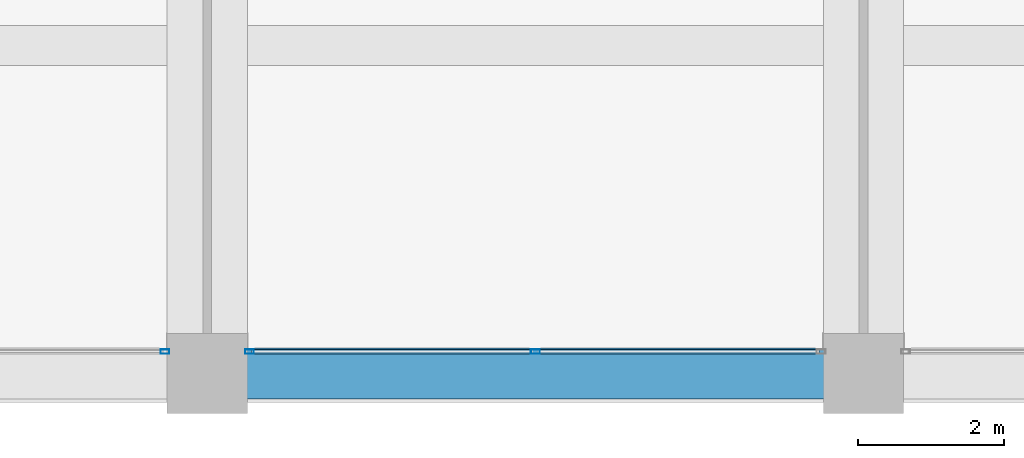
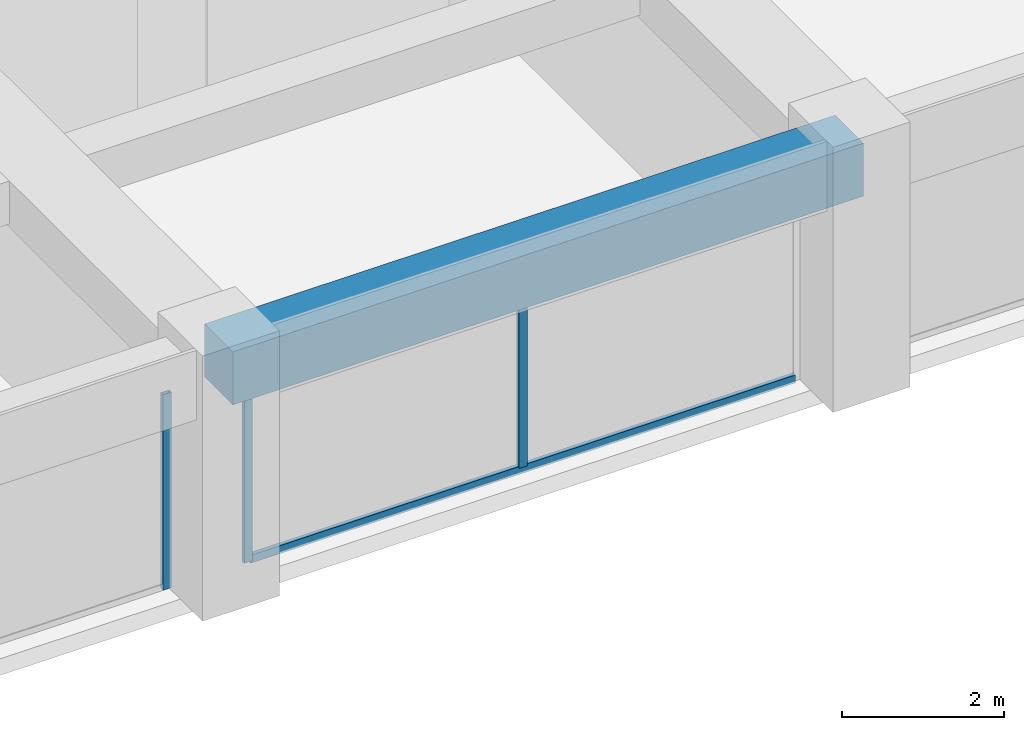
# One storey, part 9 of 44: 4 members, 1 beam, 2 elements without a shape of their own.
"""IFC4 building model written with IfcOpenShell, lengths in metres."""

from ifc_helpers import new_model, si_unit, direction, frame, origin, origin_2d, place, context, subcontext, project, spatial, rectangle, hollow_rectangle, extrude, material, material_profile, profile_set, type_object, element, aggregate, save


model = new_model("IFC4")

# Units and contexts
model_context = context("Model", 3, precision=1e-05, world=origin(), true_north=direction((0.0, 1.0)))
body_context = subcontext(model_context, "Body", "Model", "MODEL_VIEW")
ifc_project = project(units=[si_unit("LENGTHUNIT", "METRE"), si_unit("AREAUNIT", "SQUARE_METRE"), si_unit("VOLUMEUNIT", "CUBIC_METRE"), si_unit("PLANEANGLEUNIT", "RADIAN"), si_unit("MASSUNIT", "GRAM", prefix="KILO")], contexts=[model_context])

# Site, building, storey
site_placement = place(None, origin())
site = spatial("IfcSite", under=ifc_project, at=site_placement, CompositionType="ELEMENT")
building_placement = place(site_placement, origin())
building = spatial("IfcBuilding", under=site, at=building_placement, Name="Zorevar Civic Tower", CompositionType="ELEMENT")
storey_placement = place(building_placement, frame((0.0, 0.0, 263.39990234375)))
storey = spatial("IfcBuildingStorey", under=building, at=storey_placement, Name="L64", CompositionType="ELEMENT", Elevation=263.39990234375)

# Curtain wall, member
ifc_material_1 = material(Name="Dark grey solar-control glass in black aluminium frame", Category="aluminium")
curtain_wall_type = type_object("IfcCurtainWallType", Name="Curtain wall CW5 top zone", PredefinedType="NOTDEFINED", material=ifc_material_1)
curtain_wall_1_placement = place(storey_placement, origin())
curtain_wall_1 = element("IfcCurtainWall", 1, at=curtain_wall_1_placement, inside=storey, type_object=curtain_wall_type, Name="CW5 L64", PredefinedType="NOTDEFINED")
ifc_material_2 = material(Name="Aluminium, black anodised", Category="aluminium")
ifc_material_profile_1 = material_profile(ifc_material_2, hollow_rectangle(XDim=0.06005859375, YDim=0.1201171875, WallThickness=0.0029296875, at=origin_2d()), Name="AL 120x60x3")
ifc_profile_set_1 = profile_set([ifc_material_profile_1], Name="Aluminium, black anodised")
member_type_1 = type_object("IfcMemberType", Name="CW5 mullion AL 120x60x3", PredefinedType="MULLION", material=ifc_profile_set_1)
member_1_placement = place(storey_placement, frame((26.419921875, 0.300048828125, 0.0), z_axis=(0.0, 0.0, 1.0), x_axis=(0.0, 1.0, 0.0)))
member_1 = element("IfcMember", 2, at=member_1_placement, type_object=member_type_1, Name="CW5 mullion 3", PredefinedType="MULLION", context=body_context, shape_type="SweptSolid", body=[
    extrude(hollow_rectangle(XDim=0.06005859375, YDim=0.1201171875, WallThickness=0.0029296875, at=origin_2d()), origin(), (0.0, 0.0, 1.0), 2.9501953125),
])
aggregate(curtain_wall_1, [member_1])

# Curtain wall, members
curtain_wall_2_placement = place(storey_placement, origin())
curtain_wall_2 = element("IfcCurtainWall", 3, at=curtain_wall_2_placement, inside=storey, type_object=curtain_wall_type, Name="CW5 L64", PredefinedType="NOTDEFINED")
member_2_placement = place(storey_placement, frame((27.580078125, 0.300048828125, 0.0), z_axis=(0.0, 0.0, 1.0), x_axis=(0.0, 1.0, 0.0)))
member_2 = element("IfcMember", 4, at=member_2_placement, type_object=member_type_1, Name="CW5 mullion 1", PredefinedType="MULLION", context=body_context, shape_type="SweptSolid", body=[
    extrude(hollow_rectangle(XDim=0.06005859375, YDim=0.1201171875, WallThickness=0.0029296875, at=origin_2d()), origin(), (0.0, 0.0, 1.0), 2.9501953125),
])
member_3_placement = place(storey_placement, frame((31.5, 0.300048828125, 0.06005859375), z_axis=(0.0, 0.0, 1.0), x_axis=(0.0, 1.0, 0.0)))
member_3 = element("IfcMember", 5, at=member_3_placement, type_object=member_type_1, Name="CW5 mullion 2", PredefinedType="MULLION", context=body_context, shape_type="SweptSolid", body=[
    extrude(hollow_rectangle(XDim=0.06005859375, YDim=0.1201171875, WallThickness=0.0029296875, at=origin_2d()), origin(), (0.0, 0.0, 1.0), 2.89013671875),
])
ifc_material_3 = material(Name="Aluminium, black anodised", Category="aluminium")
ifc_material_profile_2 = material_profile(ifc_material_3, hollow_rectangle(XDim=0.06005859375, YDim=0.1201171875, WallThickness=0.0029296875, at=origin_2d()), Name="AL 120x60x3")
ifc_profile_set_2 = profile_set([ifc_material_profile_2], Name="Aluminium, black anodised")
member_type_2 = type_object("IfcMemberType", Name="CW5 transom AL 120x60x3", PredefinedType="USERDEFINED", material=ifc_profile_set_2)
member_4_placement = place(storey_placement, frame((27.610107421875, 0.300048828125, 0.030029296875), z_axis=(1.0, 0.0, 0.0), x_axis=(0.0, 1.0, 0.0)))
member_4 = element("IfcMember", 6, at=member_4_placement, type_object=member_type_2, Name="CW5 sill transom", ObjectType="TRANSOM", PredefinedType="USERDEFINED", context=body_context, shape_type="SweptSolid", body=[
    extrude(hollow_rectangle(XDim=0.06005859375, YDim=0.1201171875, WallThickness=0.0029296875, at=origin_2d()), origin(), (0.0, 0.0, 1.0), 7.77978515625),
])
aggregate(curtain_wall_2, [member_2, member_3, member_4])

# Beam
ifc_material_4 = material(Name="Concrete C50/60", Category="concrete")
ifc_material_profile_3 = material_profile(ifc_material_4, rectangle(XDim=0.699951171875, YDim=0.800048828125, at=origin_2d()), Name="RC 700x800")
ifc_profile_set_3 = profile_set([ifc_material_profile_3], Name="Concrete C50/60")
beam_type = type_object("IfcBeamType", Name="Edge beam RC 700x800", PredefinedType="SPANDREL", material=ifc_profile_set_3)
beam_placement = place(storey_placement, frame((27.0, 0.0, 3.35009765625), z_axis=(1.0, 0.0, 0.0), x_axis=(0.0, 1.0, 0.0)))
element("IfcBeam", 7, at=beam_placement, inside=storey, type_object=beam_type, Name="Edge beam L65", PredefinedType="SPANDREL", context=body_context, shape_type="SweptSolid", body=[
    extrude(rectangle(XDim=0.699951171875, YDim=0.800048828125, at=origin_2d()), origin(), (0.0, 0.0, 1.0), 9.0),
])

save(model, "model.ifc")
